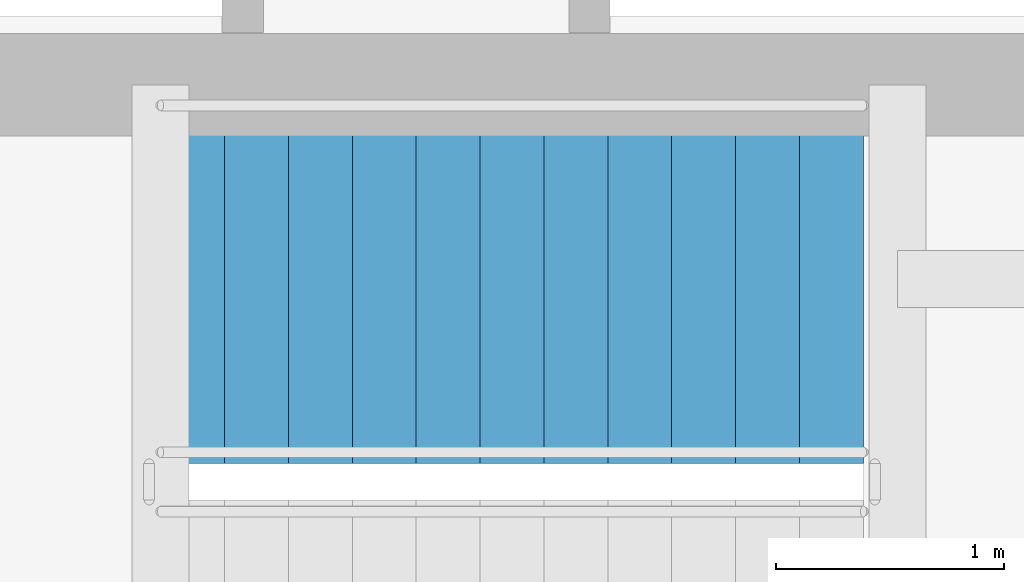
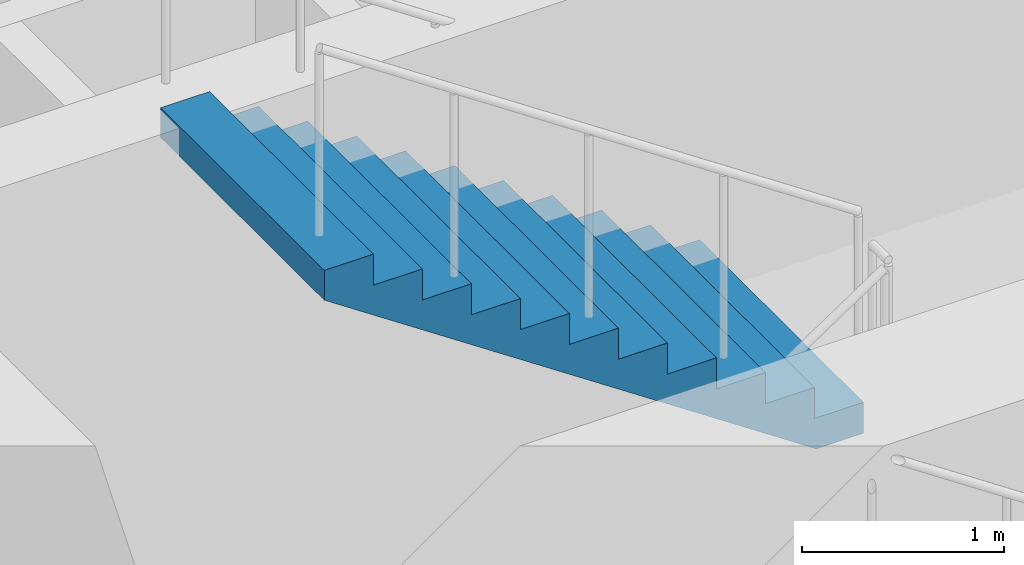
# One storey, part 18 of 24: 1 stair flight, 1 element without a shape of its own.
"""IFC4 building model written with IfcOpenShell, lengths in metres."""

from ifc_helpers import new_model, si_unit, direction, frame, origin, place, context, subcontext, project, spatial, polyline, outline, extrude, material, layer, layer_set, type_object, element, aggregate, save


model = new_model("IFC4")

# Units and contexts
model_context = context("Model", 3, precision=1e-05, world=origin(), true_north=direction((0.0, 1.0)))
body_context = subcontext(model_context, "Body", "Model", "MODEL_VIEW")
ifc_project = project(units=[si_unit("LENGTHUNIT", "METRE"), si_unit("AREAUNIT", "SQUARE_METRE"), si_unit("VOLUMEUNIT", "CUBIC_METRE"), si_unit("PLANEANGLEUNIT", "RADIAN"), si_unit("MASSUNIT", "GRAM", prefix="KILO")], contexts=[model_context])

# Site, building, storey
site_placement = place(None, origin())
site = spatial("IfcSite", under=ifc_project, at=site_placement, CompositionType="ELEMENT")
building_placement = place(site_placement, origin())
building = spatial("IfcBuilding", under=site, at=building_placement, Name="Qingluan Cross Belvedere", CompositionType="ELEMENT")
storey_placement = place(building_placement, frame((0.0, 0.0, 19.199951171875)))
storey = spatial("IfcBuildingStorey", under=building, at=storey_placement, Name="L05", CompositionType="ELEMENT", Elevation=19.199951171875)

# Stair, stair flight
ifc_material_1 = material(Name="Concrete C40", Category="concrete")
stair_type = type_object("IfcStairType", Name="CoreDoglegStair_1620", PredefinedType="HALF_TURN_STAIR", material=ifc_material_1)
stair_placement = place(storey_placement, origin())
stair = element("IfcStair", 1, at=stair_placement, inside=storey, type_object=stair_type, Name="L05 ST2", PredefinedType="HALF_TURN_STAIR")
ifc_material_2 = material(Name="Concrete C40", Category="concrete")
ifc_layer = layer(ifc_material_2, 0.179931640625, Name="StairFlight_RC180")
ifc_layer_set = layer_set([ifc_layer], Name="Concrete C40")
stair_flight_type = type_object("IfcStairFlightType", Name="StairFlight_RC180", PredefinedType="STRAIGHT", material=ifc_layer_set)
stair_flight_placement = place(storey_placement, frame((9.260009765625, -3.81005859375, 2.25), z_axis=(0.0, 0.0, 1.0), x_axis=(-1.0, 0.0, 0.0)))
stair_flight = element("IfcStairFlight", 2, at=stair_flight_placement, type_object=stair_flight_type, Name="ST2 flight 2", NumberOfRisers=12, NumberOfTreads=11, PredefinedType="STRAIGHT", RiserHeight=0.1875, TreadLength=0.28, context=body_context, shape_type="SweptSolid", body=[
    extrude(outline(polyline([(0.0, 0.0), (0.0, 0.1875), (0.280029296875, 0.1875), (0.280029296875, 0.375), (0.56005859375, 0.375), (0.56005859375, 0.5625), (0.840087890625, 0.5625), (0.840087890625, 0.75), (1.1201171875, 0.75), (1.1201171875, 0.9375), (1.39990234375, 0.9375), (1.39990234375, 1.125), (1.679931640625, 1.125), (1.679931640625, 1.3125), (1.9599609375, 1.3125), (1.9599609375, 1.5), (2.239990234375, 1.5), (2.239990234375, 1.6875), (2.52001953125, 1.6875), (2.52001953125, 1.875), (2.800048828125, 1.875), (2.800048828125, 2.0625), (3.080078125, 2.0625), (3.080078125, 2.25), (3.080078125, 1.882080078125), (0.26953125, 0.0), (0.0, 0.0)])), frame((0.0, 0.81005859375, 0.0), z_axis=(0.0, -1.0, 0.0), x_axis=(1.0, 0.0, 0.0)), (0.0, 0.0, 1.0), 1.6201171875),
])
aggregate(stair, [stair_flight])

save(model, "model.ifc")
